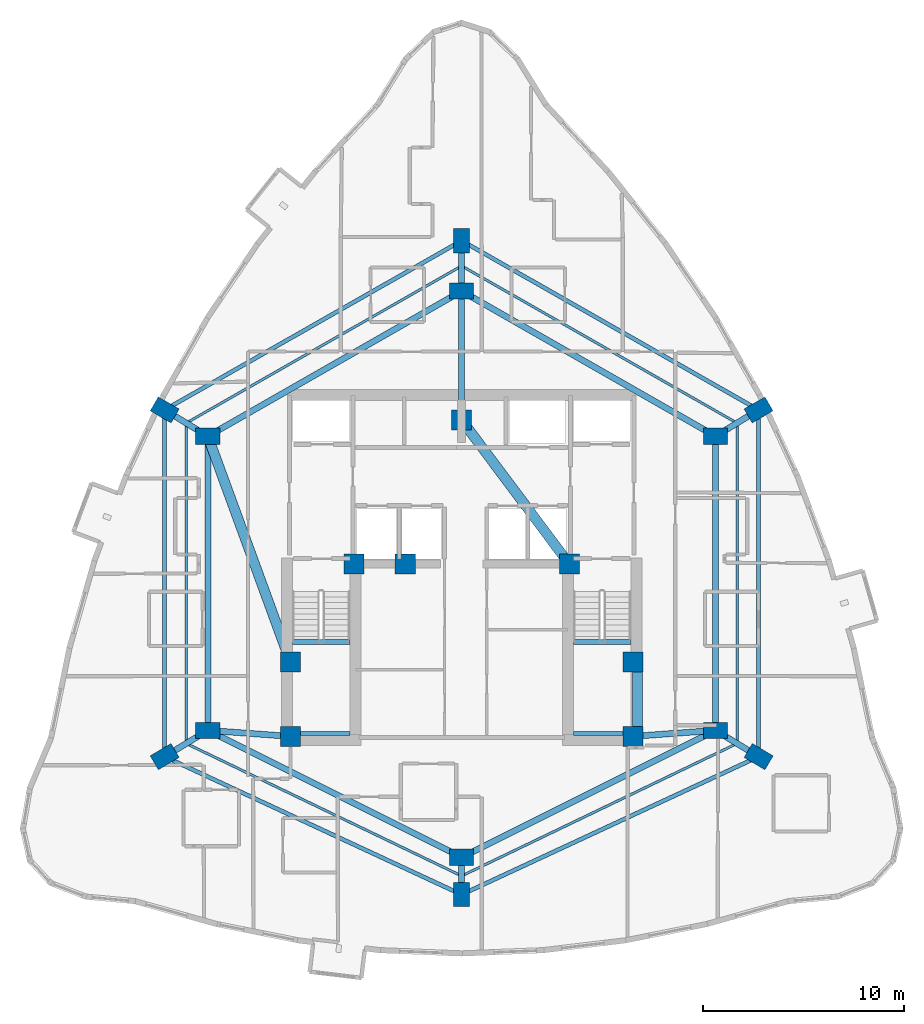
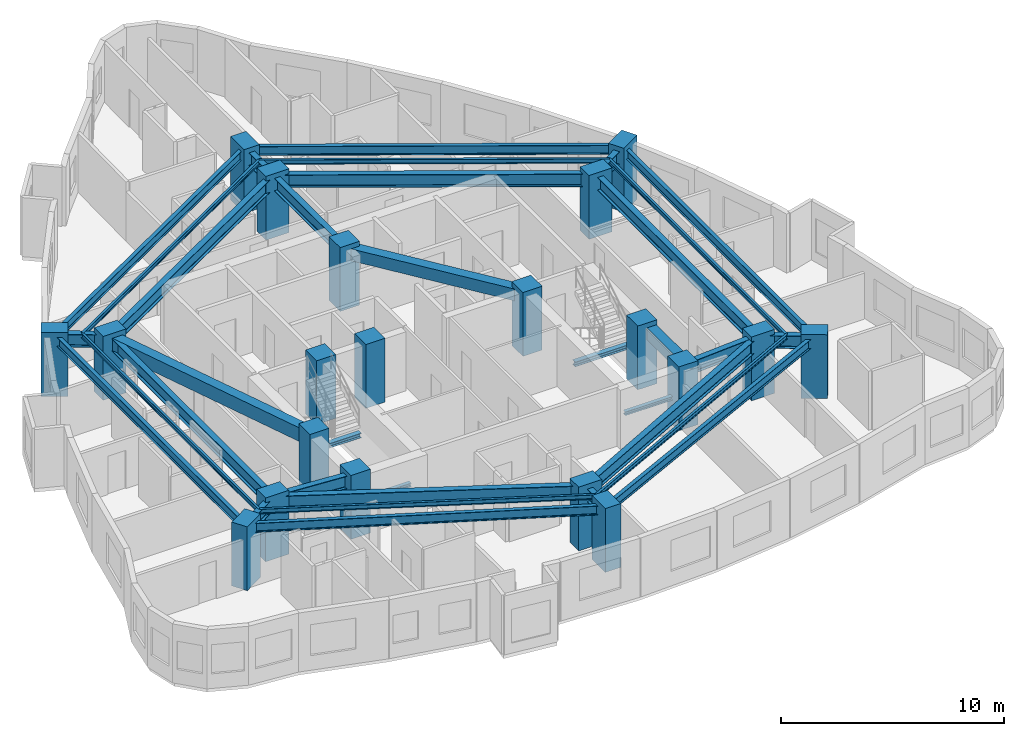
# One storey, part 1 of 14: 34 beams, 20 columns.
"""IFC4 building model written with IfcOpenShell, lengths in metres."""

import ifcopenshell
import ifcopenshell.guid

model = None  # the IFC model being written
_history = None  # IfcOwnerHistory: only IFC2X3 demands one
_inside = {}  # id of a spatial element -> (the spatial element, [elements in it])
_under = {}  # id of a project, library or spatial element -> (it, [spatial elements below it])
_declared = {}  # id of a project -> (the project, [libraries it declares])
_typed = {}  # id of a type object -> (the type object, [elements of that type])
_made_of = {}  # id of a material, layer set ... -> (it, [elements and type objects made of it])


def new_model(schema):
    """Start an empty IFC model of exactly this schema.

    Asked for "IFC4X3", IfcOpenShell would pick the latest addendum, in which some entities
    have other attributes; the version numbers below select the first issue.
    IFC2X3 requires an IfcOwnerHistory on every rooted entity: one is made here for all.
    """
    global model, _history
    if schema == "IFC4X3":
        model = ifcopenshell.file(schema_version=(4, 3, 0, 0))
    else:
        model = ifcopenshell.file(schema=schema)
    _inside.clear()
    _under.clear()
    _declared.clear()
    _typed.clear()
    _made_of.clear()
    _history = None
    if model.schema == "IFC2X3":
        org = make("IfcOrganization", Name="unknown")
        user = make(
            "IfcPersonAndOrganization",
            ThePerson=make("IfcPerson", FamilyName="unknown"),
            TheOrganization=org,
        )
        app = make(
            "IfcApplication",
            ApplicationDeveloper=org,
            Version="unknown",
            ApplicationFullName="unknown",
            ApplicationIdentifier="unknown",
        )
        _history = make(
            "IfcOwnerHistory",
            OwningUser=user,
            OwningApplication=app,
            ChangeAction="ADDED",
            CreationDate=0,
        )
    return model


def make(cls, **values):
    """One entity of the class cls with the attributes given. An attribute that is None is left unset."""
    return model.create_entity(
        cls, **{name: value for name, value in values.items() if value is not None}
    )


def rooted(cls, **values):
    """An entity with a GlobalId (a new one), such as an element, a storey or a relation."""
    return make(cls, GlobalId=ifcopenshell.guid.new(), OwnerHistory=_history, **values)


def si_unit(unit_type, name, prefix=None):
    """IfcSIUnit, for example si_unit("LENGTHUNIT", "METRE", prefix="MILLI")."""
    return make("IfcSIUnit", UnitType=unit_type, Prefix=prefix, Name=name)


def assignment(units):
    """IfcUnitAssignment: the units of a project."""
    return None if units is None else make("IfcUnitAssignment", Units=units)


def point(xyz):
    """IfcCartesianPoint."""
    return None if xyz is None else make("IfcCartesianPoint", Coordinates=xyz)


def direction(xyz):
    """IfcDirection."""
    return None if xyz is None else make("IfcDirection", DirectionRatios=xyz)


def frame(location, z_axis=None, x_axis=None):
    """IfcAxis2Placement3D, a coordinate frame: its origin and axes. An axis left out is left unset."""
    return make(
        "IfcAxis2Placement3D",
        Location=point(location),
        Axis=direction(z_axis),
        RefDirection=direction(x_axis),
    )


def frame_2d(location, x_axis=None):
    """IfcAxis2Placement2D, a coordinate frame in the plane: its origin and x axis."""
    return make(
        "IfcAxis2Placement2D", Location=point(location), RefDirection=direction(x_axis)
    )


def origin():
    """The frame at (0, 0, 0) with its axes left unset."""
    return frame((0.0, 0.0, 0.0))


def origin_2d():
    """The frame at (0, 0) in the plane with its x axis left unset."""
    return frame_2d((0.0, 0.0))


def place(relative_to, where):
    """IfcLocalPlacement: puts the frame where relative to a parent placement (None: the world)."""
    return make(
        "IfcLocalPlacement", PlacementRelTo=relative_to, RelativePlacement=where
    )


def context(
    kind, dimensions, precision=None, world=None, true_north=None, identifier=None
):
    """IfcGeometricRepresentationContext, for example the 3D "Model" context."""
    return make(
        "IfcGeometricRepresentationContext",
        ContextIdentifier=identifier,
        ContextType=kind,
        CoordinateSpaceDimension=dimensions,
        Precision=precision,
        WorldCoordinateSystem=world,
        TrueNorth=true_north,
    )


def subcontext(parent, identifier, kind, view, scale=None):
    """IfcGeometricRepresentationSubContext, for example "Body" below "Model"."""
    return make(
        "IfcGeometricRepresentationSubContext",
        ContextIdentifier=identifier,
        ContextType=kind,
        ParentContext=parent,
        TargetScale=scale,
        TargetView=view,
    )


def project(units=None, contexts=None):
    """IfcProject with its units and contexts."""
    return rooted(
        "IfcProject",
        Name="project",
        RepresentationContexts=contexts,
        UnitsInContext=assignment(units),
    )


def spatial(cls, under=None, at=None, **own):
    """A site, building, storey or space (cls), placed at a placement, below another one or the project."""
    s = rooted(cls, ObjectPlacement=at, **own)
    if under is not None:
        _under.setdefault(under.id(), (under, []))[1].append(s)
    return s


def profile(cls, at=None, kind="AREA", **sizes):
    """A parametric profile (cls). Its sizes go by their IFC names, for example OverallWidth=200.0."""
    return make(cls, ProfileType=kind, Position=at, **sizes)


def rectangle(**sizes):
    """IfcRectangleProfileDef."""
    return profile("IfcRectangleProfileDef", **sizes)


def i_section(**sizes):
    """IfcIShapeProfileDef."""
    return profile("IfcIShapeProfileDef", **sizes)


def extrude(swept, where, along, depth):
    """IfcExtrudedAreaSolid: the profile swept, set in the frame where, extruded along a direction by depth."""
    return make(
        "IfcExtrudedAreaSolid",
        SweptArea=swept,
        Position=where,
        ExtrudedDirection=direction(along),
        Depth=depth,
    )


def shape(context_of_items, identifier, shape_type, items):
    """IfcShapeRepresentation: the items that make up one representation, for example the "Body"."""
    return make(
        "IfcShapeRepresentation",
        ContextOfItems=context_of_items,
        RepresentationIdentifier=identifier,
        RepresentationType=shape_type,
        Items=items,
    )


def material(Name=None, Category=None):
    """IfcMaterial."""
    return make("IfcMaterial", Name=Name, Category=Category)


def material_profile(
    of_material, cross_section, Name=None, Category=None, Priority=None
):
    """IfcMaterialProfile: a cross section and its material."""
    return make(
        "IfcMaterialProfile",
        Name=Name,
        Material=of_material,
        Profile=cross_section,
        Priority=Priority,
        Category=Category,
    )


def profile_set(profiles, Name=None, composite=None):
    """IfcMaterialProfileSet."""
    return make(
        "IfcMaterialProfileSet",
        Name=Name,
        MaterialProfiles=profiles,
        CompositeProfile=composite,
    )


def made_of(thing, what):
    """Note that an element or type object is made of a material, layer set ...; save() writes the relation."""
    if what is not None:
        _made_of.setdefault(what.id(), (what, []))[1].append(thing)
    return thing


def type_object(cls, material=None, **own):
    """A type object (cls), such as IfcWallType, which elements share."""
    return made_of(rooted(cls, **own), material)


def element(
    cls,
    number,
    at=None,
    inside=None,
    cuts=None,
    type_object=None,
    material=None,
    context=None,
    identifier="Body",
    shape_type=None,
    held_by="IfcProductDefinitionShape",
    body=None,
    shapes=None,
    **own,
):
    """One element of the class cls, such as IfcWall. Its Tag is "e" and its number.

    at: its placement. inside: the storey or other place that contains it. cuts: it is an
    opening in that element (IfcRelVoidsElement). A single representation is given by context,
    identifier, shape_type and body (its items); several are given by shapes. held_by: the class
    of the entity that holds the representations. save() writes the other relations.
    """
    e = rooted(cls, Tag="e%d" % number, ObjectPlacement=at, **own)
    if body is not None:
        shapes = [shape(context, identifier, shape_type, body)]
    if shapes is not None:
        e.Representation = make(held_by, Representations=shapes)
    if inside is not None:
        _inside.setdefault(inside.id(), (inside, []))[1].append(e)
    if cuts is not None:
        rooted(
            "IfcRelVoidsElement", RelatingBuildingElement=cuts, RelatedOpeningElement=e
        )
    if type_object is not None:
        _typed.setdefault(type_object.id(), (type_object, []))[1].append(e)
    return made_of(e, material)


def aggregate(whole, parts):
    """IfcRelAggregates: a whole, such as a stair, and the parts it consists of."""
    return rooted("IfcRelAggregates", RelatingObject=whole, RelatedObjects=parts)


def save(model, path):
    """Write the relations noted so far, then the file.

    IfcRelAggregates (storeys below a building ...), IfcRelContainedInSpatialStructure (elements
    in a storey), IfcRelDefinesByType, IfcRelAssociatesMaterial and IfcRelDeclares: one each for
    every whole, place, type object, material and project.
    """
    for whole, parts in _under.values():
        aggregate(whole, parts)
    for where, things in _inside.values():
        rooted(
            "IfcRelContainedInSpatialStructure",
            RelatedElements=things,
            RelatingStructure=where,
        )
    for kind, things in _typed.values():
        rooted("IfcRelDefinesByType", RelatedObjects=things, RelatingType=kind)
    for what, things in _made_of.values():
        rooted("IfcRelAssociatesMaterial", RelatedObjects=things, RelatingMaterial=what)
    for by, libraries in _declared.values():
        rooted("IfcRelDeclares", RelatingContext=by, RelatedDefinitions=libraries)
    model.write(path)


model = new_model("IFC4")

# Units and contexts
model_context = context("Model", 3, precision=1e-05, world=origin(), true_north=direction((0.0, 1.0)))
body_context = subcontext(model_context, "Body", "Model", "MODEL_VIEW")
ifc_project = project(units=[si_unit("LENGTHUNIT", "METRE"), si_unit("AREAUNIT", "SQUARE_METRE"), si_unit("VOLUMEUNIT", "CUBIC_METRE"), si_unit("PLANEANGLEUNIT", "RADIAN"), si_unit("MASSUNIT", "GRAM", prefix="KILO")], contexts=[model_context])

# Site, building, storey
site_placement = place(None, origin())
site = spatial("IfcSite", under=ifc_project, at=site_placement, CompositionType="ELEMENT")
building_placement = place(site_placement, origin())
building = spatial("IfcBuilding", under=site, at=building_placement, Name="Miruveldt Soraemaru", CompositionType="ELEMENT")
storey_placement = place(building_placement, frame((0.0, 0.0, 128.39990234375)))
storey = spatial("IfcBuildingStorey", under=building, at=storey_placement, Name="L35", CompositionType="ELEMENT", Elevation=128.39990234375)

# Columns
ifc_material_1 = material(Name="Concrete C60/75 (60 MPa)", Category="concrete")
ifc_material_profile_1 = material_profile(ifc_material_1, rectangle(XDim=1.0, YDim=1.0, at=origin_2d()), Name="Concrete C60/75 (60 MPa)", Category="concrete")
ifc_profile_set_1 = profile_set([ifc_material_profile_1], Name="Concrete C60/75 (60 MPa)")
column_type_1 = type_object("IfcColumnType", Name="COL-CORE-1000", PredefinedType="COLUMN", material=ifc_profile_set_1)
for number, where, z_axis, x_axis, name in (
    (1, (35.5, 35.5, 0.0), (0.0, 0.0, 1.0), (1.0, 0.0, 0.0), "L35 Structural Column CC1"),
    (2, (38.64990234375, 44.050048828125, 0.0), (0.0, 0.0, 1.0), (1.0, 0.0, 0.0), "L35 Structural Column CC2"),
    (3, (52.5, 35.5, 0.0), (0.0, 0.0, 1.0), (1.0, 0.0, 0.0), "L35 Structural Column CC3"),
    (4, (52.5, 39.199951171875, 0.0), (0.0, 0.0, 1.0), (1.0, 0.0, 0.0), "L35 Structural Column CC4"),
    (5, (49.35009765625, 44.050048828125, 0.0), (0.0, 0.0, 1.0), (1.0, 0.0, 0.0), "L35 Structural Column CC5"),
    (6, (44.0, 51.199951171875, 0.0), (0.0, 0.0, 1.0), (1.0, 0.0, 0.0), "L35 Structural Column CC6"),
    (7, (35.5, 39.199951171875, 0.0), (0.0, 0.0, 1.0), (1.0, 0.0, 0.0), "L35 Structural Column CC7"),
    (8, (41.199951171875, 44.050048828125, 0.0), (0.0, 0.0, 1.0), (1.0, 0.0, 0.0), "L35 Structural Column CC8"),
):
    element("IfcColumn", number, at=place(storey_placement, frame(where, z_axis=z_axis, x_axis=x_axis)), inside=storey, type_object=column_type_1, Name=name, PredefinedType="COLUMN", context=body_context, shape_type="SweptSolid", body=[
        extrude(rectangle(XDim=1.0, YDim=1.0, at=origin_2d()), origin(), (0.0, 0.0, 1.0), 3.5),
    ])
ifc_material_2 = material(Name="Concrete C70/85 (70 MPa)", Category="concrete")
ifc_material_profile_2 = material_profile(ifc_material_2, rectangle(XDim=1.199951171875, YDim=0.800048828125, at=origin_2d()), Name="Concrete C70/85 (70 MPa)", Category="concrete")
ifc_profile_set_2 = profile_set([ifc_material_profile_2], Name="Concrete C70/85 (70 MPa)")
column_type_2 = type_object("IfcColumnType", Name="COL-TW-Z2", PredefinedType="COLUMN", material=ifc_profile_set_2)
for number, where, z_axis, x_axis, name in (
    (9, (44.0, 57.60009765625, 0.0), (0.0, 0.0, 1.0), (1.0, 0.0, 0.0), "L35 Structural Column IR01"),
    (10, (56.60009765625, 50.39990234375, 0.0), (0.0, 0.0, 1.0), (1.0, 0.0, 0.0), "L35 Structural Column IR02"),
    (11, (56.60009765625, 35.800048828125, 0.0), (0.0, 0.0, 1.0), (1.0, 0.0, 0.0), "L35 Structural Column IR03"),
    (12, (44.0, 29.5, 0.0), (0.0, 0.0, 1.0), (1.0, 0.0, 0.0), "L35 Structural Column IR04"),
    (13, (31.39990234375, 35.800048828125, 0.0), (0.0, 0.0, 1.0), (1.0, 0.0, 0.0), "L35 Structural Column IR05"),
    (14, (31.39990234375, 50.39990234375, 0.0), (0.0, 0.0, 1.0), (1.0, 0.0, 0.0), "L35 Structural Column IR06"),
    (15, (44.0, 60.10595703125, 0.0), (0.0, 0.0, 1.0), (0.0, 1.0, 0.0), "L35 Structural Column Z2P01"),
    (16, (58.739990234375, 51.705078125, 0.0), (0.0, 0.0, 1.0), (0.866025403784, 0.5, 0.0), "L35 Structural Column Z2P02"),
    (17, (58.739990234375, 34.4951171875, 0.0), (0.0, 0.0, 1.0), (-0.860742027004, 0.50904141575, 0.0), "L35 Structural Column Z2P03"),
    (18, (44.0, 27.64697265625, 0.0), (0.0, 0.0, 1.0), (0.0, 1.0, 0.0), "L35 Structural Column Z2P04"),
    (19, (29.260009765625, 34.4951171875, 0.0), (0.0, 0.0, 1.0), (0.860742027004, 0.50904141575, 0.0), "L35 Structural Column Z2P05"),
    (20, (29.260009765625, 51.705078125, 0.0), (0.0, 0.0, 1.0), (-0.866025403784, 0.5, 0.0), "L35 Structural Column Z2P06"),
):
    element("IfcColumn", number, at=place(storey_placement, frame(where, z_axis=z_axis, x_axis=x_axis)), inside=storey, type_object=column_type_2, Name=name, PredefinedType="COLUMN", context=body_context, shape_type="SweptSolid", body=[
        extrude(rectangle(XDim=1.199951171875, YDim=0.800048828125, at=origin_2d()), origin(), (0.0, 0.0, 1.0), 3.5),
    ])

# Beams
ifc_material_3 = material(Name="Concrete C50/60 (50 MPa)", Category="concrete")
ifc_material_profile_3 = material_profile(ifc_material_3, rectangle(XDim=0.5, YDim=0.64990234375, at=origin_2d()), Name="Concrete C50/60 (50 MPa)", Category="concrete")
ifc_profile_set_3 = profile_set([ifc_material_profile_3], Name="Concrete C50/60 (50 MPa)")
beam_type_1 = type_object("IfcBeamType", Name="BM-RC-500x650", PredefinedType="BEAM", material=ifc_profile_set_3)
beam_1_placement = place(storey_placement, frame((52.72998046875, 35.5, 2.91015625), z_axis=(0.0, 1.0, 0.0), x_axis=(-1.0, 0.0, 0.0)))
element("IfcBeam", 21, at=beam_1_placement, inside=storey, type_object=beam_type_1, Name="L35 Core Tie Beam 3", PredefinedType="BEAM", context=body_context, shape_type="SweptSolid", body=[
    extrude(rectangle(XDim=0.5, YDim=0.64990234375, at=origin_2d()), origin(), (0.0, 0.0, 1.0), 3.699951171875),
])
beam_2_placement = place(storey_placement, frame((49.35009765625, 44.050048828125, 2.91015625), z_axis=(-0.599116023999, 0.800662219533, 0.0), x_axis=(-0.800662219533, -0.599116023999, 0.0)))
element("IfcBeam", 22, at=beam_2_placement, inside=storey, type_object=beam_type_1, Name="L35 Core Tie Beam 5", PredefinedType="BEAM", context=body_context, shape_type="SweptSolid", body=[
    extrude(rectangle(XDim=0.5, YDim=0.64990234375, at=origin_2d()), origin(), (0.0, 0.0, 1.0), 8.929931640625),
])
ifc_material_4 = material(Name="Concrete C40/50 (40 MPa)", Category="concrete")
ifc_material_profile_4 = material_profile(ifc_material_4, rectangle(XDim=0.5, YDim=0.75, at=origin_2d()), Name="Concrete C40/50 (40 MPa)", Category="concrete")
ifc_profile_set_4 = profile_set([ifc_material_profile_4], Name="Concrete C40/50 (40 MPa)")
beam_type_2 = type_object("IfcBeamType", Name="BM-RC-500x750", PredefinedType="LINTEL", material=ifc_profile_set_4)
beam_3_placement = place(storey_placement, frame((31.39990234375, 50.39990234375, 2.860107421875), z_axis=(0.343770424598, -0.939053723262, 0.0), x_axis=(0.939053723262, 0.343770424598, 0.0)))
element("IfcBeam", 23, at=beam_3_placement, inside=storey, type_object=beam_type_2, Name="L35 West Lobby Lintel", PredefinedType="LINTEL", context=body_context, shape_type="SweptSolid", body=[
    extrude(rectangle(XDim=0.5, YDim=0.75, at=origin_2d()), origin(), (0.0, 0.0, 1.0), 11.9267578125),
])
ifc_material_5 = material(Name="Steel SM355 (355 MPa)", Category="steel")
ifc_material_profile_5 = material_profile(ifc_material_5, i_section(OverallWidth=0.125, OverallDepth=0.25, WebThickness=0.006103515625, FlangeThickness=0.009033203125, FilletRadius=0.011962890625, at=origin_2d()), Name="Steel SM355 (355 MPa)", Category="steel")
ifc_profile_set_5 = profile_set([ifc_material_profile_5], Name="Steel SM355 (355 MPa)")
beam_type_3 = type_object("IfcBeamType", Name="BM-ST-H250", PredefinedType="JOIST", material=ifc_profile_set_5)
beam_4_placement = place(storey_placement, frame((44.0, 58.85302734375, 3.110107421875), z_axis=(0.868539859756, -0.495619321672, 0.0), x_axis=(0.495619321672, 0.868539859756, 0.0)))
element("IfcBeam", 24, at=beam_4_placement, inside=storey, type_object=beam_type_3, Name="L35 Outer Bay Floor Joist 1", PredefinedType="JOIST", context=body_context, shape_type="SweptSolid", body=[
    extrude(i_section(OverallWidth=0.125, OverallDepth=0.25, WebThickness=0.006103515625, FlangeThickness=0.009033203125, FilletRadius=0.011962890625, at=origin_2d()), origin(), (0.0, 0.0, 1.0), 15.739013671875),
])
beam_5_placement = place(storey_placement, frame((57.669921875, 51.052490234375, 3.110107421875), z_axis=(0.0, -1.0, 0.0), x_axis=(1.0, 0.0, 0.0)))
element("IfcBeam", 25, at=beam_5_placement, inside=storey, type_object=beam_type_3, Name="L35 Outer Bay Floor Joist 2", PredefinedType="JOIST", context=body_context, shape_type="SweptSolid", body=[
    extrude(i_section(OverallWidth=0.125, OverallDepth=0.25, WebThickness=0.006103515625, FlangeThickness=0.009033203125, FilletRadius=0.011962890625, at=origin_2d()), origin(), (0.0, 0.0, 1.0), 15.905029296875),
])
for number, where, z_axis, x_axis, name in (
    (26, (57.669921875, 35.1474609375, 3.110107421875), (-0.901203586802, -0.433396002676, 0.0), (0.433396002676, -0.901203586802, 0.0), "L35 Outer Bay Floor Joist 3"),
    (27, (44.0, 28.573486328125, 3.110107421875), (-0.901203586802, 0.433396002676, 0.0), (-0.433396002676, -0.901203586802, 0.0), "L35 Outer Bay Floor Joist 4"),
):
    element("IfcBeam", number, at=place(storey_placement, frame(where, z_axis=z_axis, x_axis=x_axis)), inside=storey, type_object=beam_type_3, Name=name, PredefinedType="JOIST", context=body_context, shape_type="SweptSolid", body=[
        extrude(i_section(OverallWidth=0.125, OverallDepth=0.25, WebThickness=0.006103515625, FlangeThickness=0.009033203125, FilletRadius=0.011962890625, at=origin_2d()), origin(), (0.0, 0.0, 1.0), 15.16845703125),
    ])
beam_6_placement = place(storey_placement, frame((30.330078125, 35.1474609375, 3.110107421875), z_axis=(0.0, 1.0, 0.0), x_axis=(-1.0, 0.0, 0.0)))
element("IfcBeam", 28, at=beam_6_placement, inside=storey, type_object=beam_type_3, Name="L35 Outer Bay Floor Joist 5", PredefinedType="JOIST", context=body_context, shape_type="SweptSolid", body=[
    extrude(i_section(OverallWidth=0.125, OverallDepth=0.25, WebThickness=0.006103515625, FlangeThickness=0.009033203125, FilletRadius=0.011962890625, at=origin_2d()), origin(), (0.0, 0.0, 1.0), 15.905029296875),
])
beam_7_placement = place(storey_placement, frame((30.330078125, 51.052490234375, 3.110107421875), z_axis=(0.868539859756, 0.495619321672, 0.0), x_axis=(-0.495619321672, 0.868539859756, 0.0)))
element("IfcBeam", 29, at=beam_7_placement, inside=storey, type_object=beam_type_3, Name="L35 Outer Bay Floor Joist 6", PredefinedType="JOIST", context=body_context, shape_type="SweptSolid", body=[
    extrude(i_section(OverallWidth=0.125, OverallDepth=0.25, WebThickness=0.006103515625, FlangeThickness=0.009033203125, FilletRadius=0.011962890625, at=origin_2d()), origin(), (0.0, 0.0, 1.0), 15.739013671875),
])
ifc_material_profile_6 = material_profile(ifc_material_5, i_section(OverallWidth=0.199951171875, OverallDepth=0.5, WebThickness=0.010009765625, FlangeThickness=0.01611328125, FilletRadius=0.02001953125, at=origin_2d()), Name="Steel SM355 (355 MPa)", Category="steel")
ifc_profile_set_6 = profile_set([ifc_material_profile_6], Name="Steel SM355 (355 MPa)")
beam_type_4 = type_object("IfcBeamType", Name="BM-ST-H500", PredefinedType="SPANDREL", material=ifc_profile_set_6)
beam_8_placement = place(storey_placement, frame((44.0, 60.10595703125, 2.985107421875), z_axis=(0.86880048516, -0.495162313778, 0.0), x_axis=(0.495162313778, 0.86880048516, 0.0)))
element("IfcBeam", 30, at=beam_8_placement, inside=storey, type_object=beam_type_4, Name="L35 Zone-2 Spandrel Beam 1", PredefinedType="SPANDREL", context=body_context, shape_type="SweptSolid", body=[
    extrude(i_section(OverallWidth=0.199951171875, OverallDepth=0.5, WebThickness=0.010009765625, FlangeThickness=0.01611328125, FilletRadius=0.02001953125, at=origin_2d()), origin(), (0.0, 0.0, 1.0), 16.9658203125),
])
beam_9_placement = place(storey_placement, frame((58.739990234375, 51.705078125, 2.985107421875), z_axis=(0.0, -1.0, 0.0), x_axis=(1.0, 0.0, 0.0)))
element("IfcBeam", 31, at=beam_9_placement, inside=storey, type_object=beam_type_4, Name="L35 Zone-2 Spandrel Beam 2", PredefinedType="SPANDREL", context=body_context, shape_type="SweptSolid", body=[
    extrude(i_section(OverallWidth=0.199951171875, OverallDepth=0.5, WebThickness=0.010009765625, FlangeThickness=0.01611328125, FilletRadius=0.02001953125, at=origin_2d()), origin(), (0.0, 0.0, 1.0), 17.2099609375),
])
for number, where, z_axis, x_axis, name in (
    (32, (58.739990234375, 34.4951171875, 2.985107421875), (-0.906901362829, -0.421342993414, 0.0), (0.421342993414, -0.906901362829, 0.0), "L35 Zone-2 Spandrel Beam 3"),
    (33, (44.0, 27.64697265625, 2.985107421875), (-0.906901362829, 0.421342993414, 0.0), (-0.421342993414, -0.906901362829, 0.0), "L35 Zone-2 Spandrel Beam 4"),
):
    element("IfcBeam", number, at=place(storey_placement, frame(where, z_axis=z_axis, x_axis=x_axis)), inside=storey, type_object=beam_type_4, Name=name, PredefinedType="SPANDREL", context=body_context, shape_type="SweptSolid", body=[
        extrude(i_section(OverallWidth=0.199951171875, OverallDepth=0.5, WebThickness=0.010009765625, FlangeThickness=0.01611328125, FilletRadius=0.02001953125, at=origin_2d()), origin(), (0.0, 0.0, 1.0), 16.253173828125),
    ])
beam_10_placement = place(storey_placement, frame((29.260009765625, 34.4951171875, 2.985107421875), z_axis=(0.0, 1.0, 0.0), x_axis=(-1.0, 0.0, 0.0)))
element("IfcBeam", 34, at=beam_10_placement, inside=storey, type_object=beam_type_4, Name="L35 Zone-2 Spandrel Beam 5", PredefinedType="SPANDREL", context=body_context, shape_type="SweptSolid", body=[
    extrude(i_section(OverallWidth=0.199951171875, OverallDepth=0.5, WebThickness=0.010009765625, FlangeThickness=0.01611328125, FilletRadius=0.02001953125, at=origin_2d()), origin(), (0.0, 0.0, 1.0), 17.2099609375),
])
beam_11_placement = place(storey_placement, frame((29.260009765625, 51.705078125, 2.985107421875), z_axis=(0.86880048516, 0.495162313778, 0.0), x_axis=(-0.495162313778, 0.86880048516, 0.0)))
element("IfcBeam", 35, at=beam_11_placement, inside=storey, type_object=beam_type_4, Name="L35 Zone-2 Spandrel Beam 6", PredefinedType="SPANDREL", context=body_context, shape_type="SweptSolid", body=[
    extrude(i_section(OverallWidth=0.199951171875, OverallDepth=0.5, WebThickness=0.010009765625, FlangeThickness=0.01611328125, FilletRadius=0.02001953125, at=origin_2d()), origin(), (0.0, 0.0, 1.0), 16.9658203125),
])
ifc_material_profile_7 = material_profile(ifc_material_5, i_section(OverallWidth=0.300048828125, OverallDepth=0.699951171875, WebThickness=0.012939453125, FlangeThickness=0.02392578125, FilletRadius=0.028076171875, at=origin_2d()), Name="Steel SM355 (355 MPa)", Category="steel")
ifc_profile_set_7 = profile_set([ifc_material_profile_7], Name="Steel SM355 (355 MPa)")
beam_type_5 = type_object("IfcBeamType", Name="BM-ST-H700", PredefinedType="BEAM", material=ifc_profile_set_7)
beam_12_placement = place(storey_placement, frame((44.0, 57.60009765625, 2.885009765625), z_axis=(0.868239001029, -0.496146185203, 0.0), x_axis=(0.496146185203, 0.868239001029, 0.0)))
element("IfcBeam", 36, at=beam_12_placement, inside=storey, type_object=beam_type_5, Name="L35 Inner Ring Girder 1", PredefinedType="BEAM", context=body_context, shape_type="SweptSolid", body=[
    extrude(i_section(OverallWidth=0.300048828125, OverallDepth=0.699951171875, WebThickness=0.012939453125, FlangeThickness=0.02392578125, FilletRadius=0.028076171875, at=origin_2d()), origin(), (0.0, 0.0, 1.0), 14.51220703125),
])
beam_13_placement = place(storey_placement, frame((44.0, 51.199951171875, 2.885009765625), z_axis=(0.0, 1.0, 0.0), x_axis=(-1.0, 0.0, 0.0)))
element("IfcBeam", 37, at=beam_13_placement, inside=storey, type_object=beam_type_5, Name="L35 Core-to-Inner Radial Girder 1", PredefinedType="BEAM", context=body_context, shape_type="SweptSolid", body=[
    extrude(i_section(OverallWidth=0.300048828125, OverallDepth=0.699951171875, WebThickness=0.012939453125, FlangeThickness=0.02392578125, FilletRadius=0.028076171875, at=origin_2d()), origin(), (0.0, 0.0, 1.0), 6.400146484375),
])
beam_14_placement = place(storey_placement, frame((56.60009765625, 50.39990234375, 2.885009765625), z_axis=(0.0, -1.0, 0.0), x_axis=(1.0, 0.0, 0.0)))
element("IfcBeam", 38, at=beam_14_placement, inside=storey, type_object=beam_type_5, Name="L35 Inner Ring Girder 2", PredefinedType="BEAM", context=body_context, shape_type="SweptSolid", body=[
    extrude(i_section(OverallWidth=0.300048828125, OverallDepth=0.699951171875, WebThickness=0.012939453125, FlangeThickness=0.02392578125, FilletRadius=0.028076171875, at=origin_2d()), origin(), (0.0, 0.0, 1.0), 14.599853515625),
])
beam_15_placement = place(storey_placement, frame((56.60009765625, 35.800048828125, 2.885009765625), z_axis=(-0.894427191, -0.4472135955, 0.0), x_axis=(0.4472135955, -0.894427191, 0.0)))
element("IfcBeam", 39, at=beam_15_placement, inside=storey, type_object=beam_type_5, Name="L35 Inner Ring Girder 3", PredefinedType="BEAM", context=body_context, shape_type="SweptSolid", body=[
    extrude(i_section(OverallWidth=0.300048828125, OverallDepth=0.699951171875, WebThickness=0.012939453125, FlangeThickness=0.02392578125, FilletRadius=0.028076171875, at=origin_2d()), origin(), (0.0, 0.0, 1.0), 14.08740234375),
])
beam_16_placement = place(storey_placement, frame((52.5, 35.5, 2.885009765625), z_axis=(0.997332985605, 0.072985723431, 0.0), x_axis=(-0.072985723431, 0.997332985605, 0.0)))
element("IfcBeam", 40, at=beam_16_placement, inside=storey, type_object=beam_type_5, Name="L35 Core-to-Inner Radial Girder 3", PredefinedType="BEAM", context=body_context, shape_type="SweptSolid", body=[
    extrude(i_section(OverallWidth=0.300048828125, OverallDepth=0.699951171875, WebThickness=0.012939453125, FlangeThickness=0.02392578125, FilletRadius=0.028076171875, at=origin_2d()), origin(), (0.0, 0.0, 1.0), 4.111083984375),
])
beam_17_placement = place(storey_placement, frame((44.0, 29.5, 2.885009765625), z_axis=(-0.894427191, 0.4472135955, 0.0), x_axis=(-0.4472135955, -0.894427191, 0.0)))
element("IfcBeam", 41, at=beam_17_placement, inside=storey, type_object=beam_type_5, Name="L35 Inner Ring Girder 4", PredefinedType="BEAM", context=body_context, shape_type="SweptSolid", body=[
    extrude(i_section(OverallWidth=0.300048828125, OverallDepth=0.699951171875, WebThickness=0.012939453125, FlangeThickness=0.02392578125, FilletRadius=0.028076171875, at=origin_2d()), origin(), (0.0, 0.0, 1.0), 14.08740234375),
])
beam_18_placement = place(storey_placement, frame((31.39990234375, 35.800048828125, 2.885009765625), z_axis=(0.0, 1.0, 0.0), x_axis=(-1.0, 0.0, 0.0)))
element("IfcBeam", 42, at=beam_18_placement, inside=storey, type_object=beam_type_5, Name="L35 Inner Ring Girder 5", PredefinedType="BEAM", context=body_context, shape_type="SweptSolid", body=[
    extrude(i_section(OverallWidth=0.300048828125, OverallDepth=0.699951171875, WebThickness=0.012939453125, FlangeThickness=0.02392578125, FilletRadius=0.028076171875, at=origin_2d()), origin(), (0.0, 0.0, 1.0), 14.599853515625),
])
beam_19_placement = place(storey_placement, frame((35.5, 35.5, 2.885009765625), z_axis=(-0.997332985605, 0.072985723431, 0.0), x_axis=(-0.072985723431, -0.997332985605, 0.0)))
element("IfcBeam", 43, at=beam_19_placement, inside=storey, type_object=beam_type_5, Name="L35 Core-to-Inner Radial Girder 5", PredefinedType="BEAM", context=body_context, shape_type="SweptSolid", body=[
    extrude(i_section(OverallWidth=0.300048828125, OverallDepth=0.699951171875, WebThickness=0.012939453125, FlangeThickness=0.02392578125, FilletRadius=0.028076171875, at=origin_2d()), origin(), (0.0, 0.0, 1.0), 4.111083984375),
])
beam_20_placement = place(storey_placement, frame((31.39990234375, 50.39990234375, 2.885009765625), z_axis=(0.868239001029, 0.496146185203, 0.0), x_axis=(-0.496146185203, 0.868239001029, 0.0)))
element("IfcBeam", 44, at=beam_20_placement, inside=storey, type_object=beam_type_5, Name="L35 Inner Ring Girder 6", PredefinedType="BEAM", context=body_context, shape_type="SweptSolid", body=[
    extrude(i_section(OverallWidth=0.300048828125, OverallDepth=0.699951171875, WebThickness=0.012939453125, FlangeThickness=0.02392578125, FilletRadius=0.028076171875, at=origin_2d()), origin(), (0.0, 0.0, 1.0), 14.51220703125),
])
beam_21_placement = place(storey_placement, frame((44.0, 57.60009765625, 2.885009765625), z_axis=(0.0, 1.0, 0.0), x_axis=(-1.0, 0.0, 0.0)))
element("IfcBeam", 45, at=beam_21_placement, inside=storey, type_object=beam_type_5, Name="L35 Zone-2 Radial Girder 1", PredefinedType="BEAM", context=body_context, shape_type="SweptSolid", body=[
    extrude(i_section(OverallWidth=0.300048828125, OverallDepth=0.699951171875, WebThickness=0.012939453125, FlangeThickness=0.02392578125, FilletRadius=0.028076171875, at=origin_2d()), origin(), (0.0, 0.0, 1.0), 2.505859375),
])
beam_22_placement = place(storey_placement, frame((56.60009765625, 50.39990234375, 2.885009765625), z_axis=(0.85373175529, 0.520713059188, 0.0), x_axis=(-0.520713059188, 0.85373175529, 0.0)))
element("IfcBeam", 46, at=beam_22_placement, inside=storey, type_object=beam_type_5, Name="L35 Zone-2 Radial Girder 2", PredefinedType="BEAM", context=body_context, shape_type="SweptSolid", body=[
    extrude(i_section(OverallWidth=0.300048828125, OverallDepth=0.699951171875, WebThickness=0.012939453125, FlangeThickness=0.02392578125, FilletRadius=0.028076171875, at=origin_2d()), origin(), (0.0, 0.0, 1.0), 2.506591796875),
])
beam_23_placement = place(storey_placement, frame((56.60009765625, 35.800048828125, 2.885009765625), z_axis=(0.853775054686, -0.5206420613, 0.0), x_axis=(0.5206420613, 0.853775054686, 0.0)))
element("IfcBeam", 47, at=beam_23_placement, inside=storey, type_object=beam_type_5, Name="L35 Zone-2 Radial Girder 3", PredefinedType="BEAM", context=body_context, shape_type="SweptSolid", body=[
    extrude(i_section(OverallWidth=0.300048828125, OverallDepth=0.699951171875, WebThickness=0.012939453125, FlangeThickness=0.02392578125, FilletRadius=0.028076171875, at=origin_2d()), origin(), (0.0, 0.0, 1.0), 2.50634765625),
])
beam_24_placement = place(storey_placement, frame((44.0, 29.5, 2.885009765625), z_axis=(0.0, -1.0, 0.0), x_axis=(1.0, 0.0, 0.0)))
element("IfcBeam", 48, at=beam_24_placement, inside=storey, type_object=beam_type_5, Name="L35 Zone-2 Radial Girder 4", PredefinedType="BEAM", context=body_context, shape_type="SweptSolid", body=[
    extrude(i_section(OverallWidth=0.300048828125, OverallDepth=0.699951171875, WebThickness=0.012939453125, FlangeThickness=0.02392578125, FilletRadius=0.028076171875, at=origin_2d()), origin(), (0.0, 0.0, 1.0), 1.85302734375),
])
beam_25_placement = place(storey_placement, frame((31.39990234375, 35.800048828125, 2.885009765625), z_axis=(-0.853775054686, -0.5206420613, 0.0), x_axis=(0.5206420613, -0.853775054686, 0.0)))
element("IfcBeam", 49, at=beam_25_placement, inside=storey, type_object=beam_type_5, Name="L35 Zone-2 Radial Girder 5", PredefinedType="BEAM", context=body_context, shape_type="SweptSolid", body=[
    extrude(i_section(OverallWidth=0.300048828125, OverallDepth=0.699951171875, WebThickness=0.012939453125, FlangeThickness=0.02392578125, FilletRadius=0.028076171875, at=origin_2d()), origin(), (0.0, 0.0, 1.0), 2.50634765625),
])
beam_26_placement = place(storey_placement, frame((31.39990234375, 50.39990234375, 2.885009765625), z_axis=(-0.85373175529, 0.520713059188, 0.0), x_axis=(-0.520713059188, -0.85373175529, 0.0)))
element("IfcBeam", 50, at=beam_26_placement, inside=storey, type_object=beam_type_5, Name="L35 Zone-2 Radial Girder 6", PredefinedType="BEAM", context=body_context, shape_type="SweptSolid", body=[
    extrude(i_section(OverallWidth=0.300048828125, OverallDepth=0.699951171875, WebThickness=0.012939453125, FlangeThickness=0.02392578125, FilletRadius=0.028076171875, at=origin_2d()), origin(), (0.0, 0.0, 1.0), 2.506591796875),
])
ifc_material_profile_8 = material_profile(ifc_material_5, i_section(OverallWidth=0.199951171875, OverallDepth=0.199951171875, WebThickness=0.008056640625, FlangeThickness=0.011962890625, FilletRadius=0.012939453125, at=origin_2d()), Name="Steel SM355 (355 MPa)", Category="steel")
ifc_profile_set_8 = profile_set([ifc_material_profile_8], Name="Steel SM355 (355 MPa)")
beam_type_6 = type_object("IfcBeamType", Name="BM-ST-LND200", PredefinedType="BEAM", material=ifc_profile_set_8)
for number, where, z_axis, x_axis, name in (
    (51, (35.60009765625, 35.64990234375, 1.4501953125), (1.0, 0.0, 0.0), (0.0, 1.0, 0.0), "L35 ST1 Landing End Beam 1B"),
    (52, (49.550048828125, 35.64990234375, 1.4501953125), (1.0, 0.0, 0.0), (0.0, 1.0, 0.0), "L35 ST2 Landing End Beam 1B"),
):
    element("IfcBeam", number, at=place(storey_placement, frame(where, z_axis=z_axis, x_axis=x_axis)), inside=storey, type_object=beam_type_6, Name=name, PredefinedType="BEAM", context=body_context, shape_type="SweptSolid", body=[
        extrude(i_section(OverallWidth=0.199951171875, OverallDepth=0.199951171875, WebThickness=0.008056640625, FlangeThickness=0.011962890625, FilletRadius=0.012939453125, at=origin_2d()), origin(), (0.0, 0.0, 1.0), 2.849853515625),
    ])
ifc_material_profile_9 = material_profile(ifc_material_5, i_section(OverallWidth=0.25, OverallDepth=0.25, WebThickness=0.009033203125, FlangeThickness=0.013916015625, FilletRadius=0.01611328125, at=origin_2d()), Name="Steel SM355 (355 MPa)", Category="steel")
ifc_profile_set_9 = profile_set([ifc_material_profile_9], Name="Steel SM355 (355 MPa)")
beam_type_7 = type_object("IfcBeamType", Name="BM-ST-LND250", PredefinedType="BEAM", material=ifc_profile_set_9)
for number, where, z_axis, x_axis, name in (
    (53, (35.60009765625, 40.179931640625, 1.425048828125), (1.0, 0.0, 0.0), (0.0, 1.0, 0.0), "L35 ST1 Landing Support Beam 1A"),
    (54, (49.550048828125, 40.179931640625, 1.425048828125), (1.0, 0.0, 0.0), (0.0, 1.0, 0.0), "L35 ST2 Landing Support Beam 1A"),
):
    element("IfcBeam", number, at=place(storey_placement, frame(where, z_axis=z_axis, x_axis=x_axis)), inside=storey, type_object=beam_type_7, Name=name, PredefinedType="BEAM", context=body_context, shape_type="SweptSolid", body=[
        extrude(i_section(OverallWidth=0.25, OverallDepth=0.25, WebThickness=0.009033203125, FlangeThickness=0.013916015625, FilletRadius=0.01611328125, at=origin_2d()), origin(), (0.0, 0.0, 1.0), 2.849853515625),
    ])

save(model, "model.ifc")
